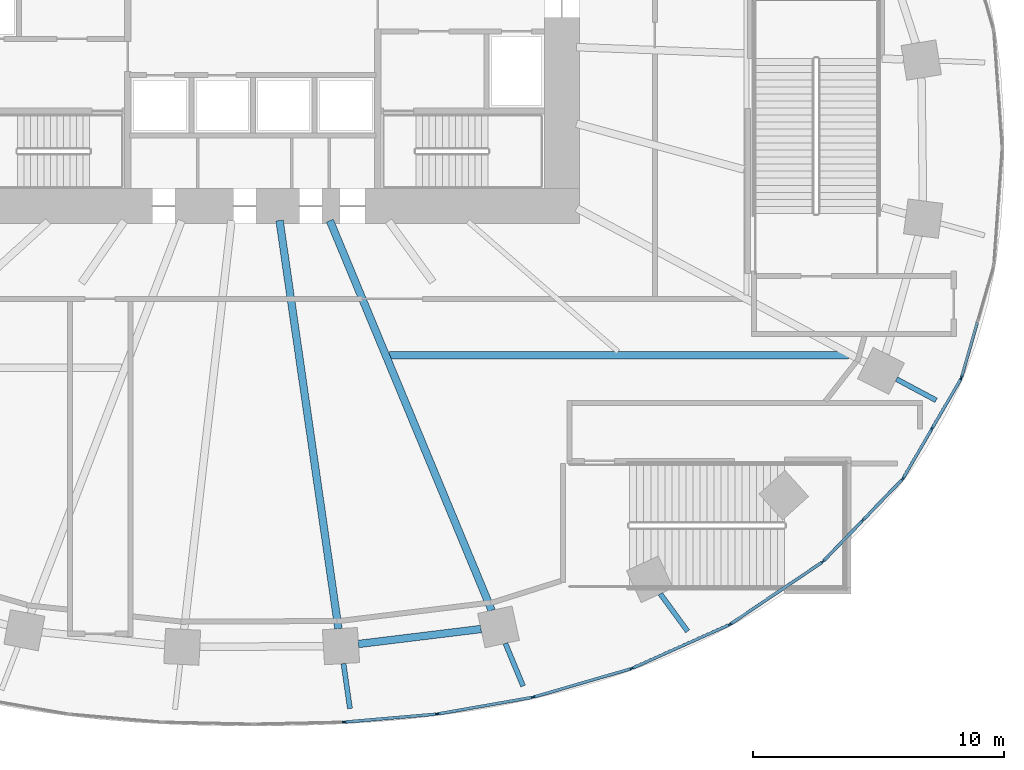
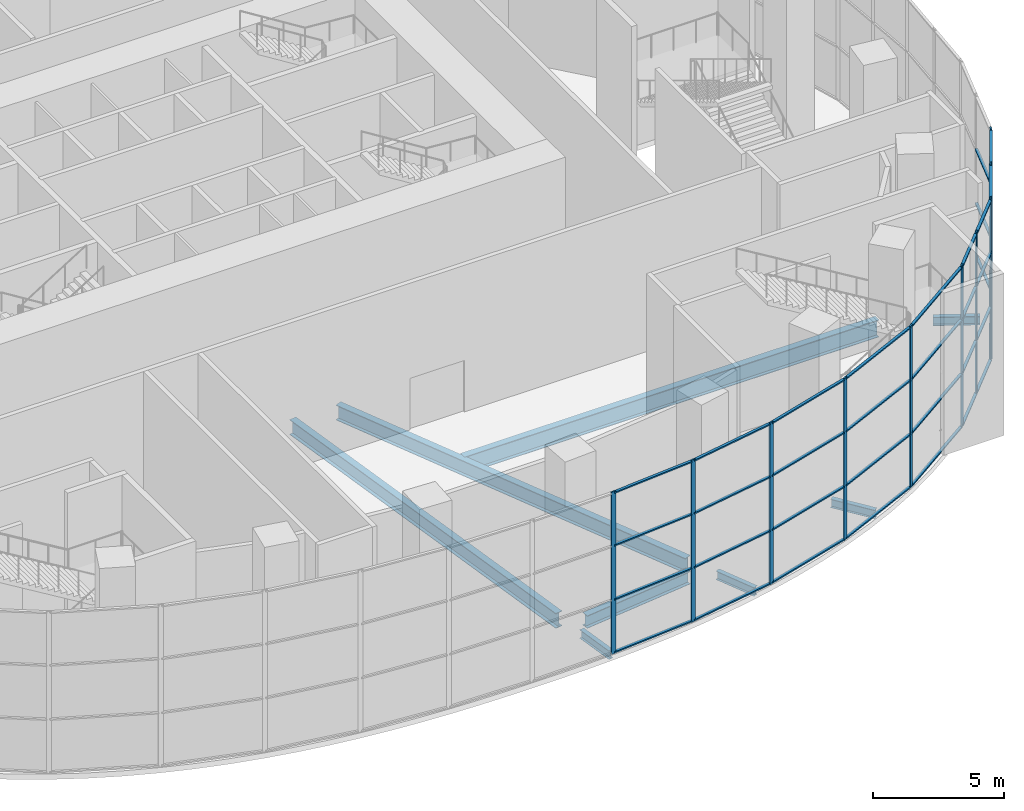
# One storey, part 5 of 22: 49 members, 8 beams, 8 elements without a shape of their own.
"""IFC4 building model written with IfcOpenShell, lengths in metres."""

from ifc_helpers import new_model, si_unit, direction, frame, origin, origin_2d, place, context, subcontext, project, spatial, rectangle, i_section, extrude, material, material_profile, profile_set, type_object, element, aggregate, save


model = new_model("IFC4")

# Units and contexts
model_context = context("Model", 3, precision=1e-05, world=origin(), true_north=direction((0.0, 1.0)))
body_context = subcontext(model_context, "Body", "Model", "MODEL_VIEW")
ifc_project = project(units=[si_unit("LENGTHUNIT", "METRE"), si_unit("AREAUNIT", "SQUARE_METRE"), si_unit("VOLUMEUNIT", "CUBIC_METRE"), si_unit("PLANEANGLEUNIT", "RADIAN"), si_unit("MASSUNIT", "GRAM", prefix="KILO")], contexts=[model_context])

# Site, building, storey
site_placement = place(None, origin())
site = spatial("IfcSite", under=ifc_project, at=site_placement, CompositionType="ELEMENT")
building_placement = place(site_placement, origin())
building = spatial("IfcBuilding", under=site, at=building_placement, Name="Rubra Terraces Tower", CompositionType="ELEMENT")
storey_placement = place(building_placement, frame((0.0, 0.0, 15.0)))
storey = spatial("IfcBuildingStorey", under=building, at=storey_placement, Name="L02", CompositionType="ELEMENT", Elevation=15.0)

# Beams
ifc_material_1 = material(Name="Steel Q355B", Category="steel")
ifc_material_profile_1 = material_profile(ifc_material_1, i_section(OverallWidth=0.199951171875, OverallDepth=0.39990234375, WebThickness=0.008056640625, FlangeThickness=0.012939453125, at=origin_2d()), Name="HN 400x200x8x13")
ifc_profile_set_1 = profile_set([ifc_material_profile_1], Name="Steel Q355B")
beam_type_1 = type_object("IfcBeamType", Name="CANTILEVER BEAM HN 400x200x8x13", PredefinedType="BEAM", material=ifc_profile_set_1)
beam_1_placement = place(storey_placement, frame((3.60888671875, -20.51904296875, -0.449951171875), z_axis=(0.142763772924, -0.989756790904, 0.0), x_axis=(0.989756790904, 0.142763772924, 0.0)))
element("IfcBeam", 1, at=beam_1_placement, inside=storey, type_object=beam_type_1, Name="beam-L02-cant-19", PredefinedType="BEAM", context=body_context, shape_type="SweptSolid", body=[
    extrude(i_section(OverallWidth=0.199951171875, OverallDepth=0.39990234375, WebThickness=0.008056640625, FlangeThickness=0.012939453125, at=origin_2d()), origin(), (0.0, 0.0, 1.0), 1.8076171875),
])
beam_2_placement = place(storey_placement, frame((10.052978515625, -19.715087890625, -0.449951171875), z_axis=(0.383493077266, -0.923543750826, 0.0), x_axis=(0.923543750826, 0.383493077266, 0.0)))
element("IfcBeam", 2, at=beam_2_placement, inside=storey, type_object=beam_type_1, Name="beam-L02-cant-20", PredefinedType="BEAM", context=body_context, shape_type="SweptSolid", body=[
    extrude(i_section(OverallWidth=0.199951171875, OverallDepth=0.39990234375, WebThickness=0.008056640625, FlangeThickness=0.012939453125, at=origin_2d()), origin(), (0.0, 0.0, 1.0), 1.838623046875),
])
beam_3_placement = place(storey_placement, frame((16.219970703125, -17.741943359375, -0.449951171875), z_axis=(0.589263865816, -0.80794065156, 0.0), x_axis=(0.80794065156, 0.589263865816, 0.0)))
element("IfcBeam", 3, at=beam_3_placement, inside=storey, type_object=beam_type_1, Name="beam-L02-cant-21", PredefinedType="BEAM", context=body_context, shape_type="SweptSolid", body=[
    extrude(i_section(OverallWidth=0.199951171875, OverallDepth=0.39990234375, WebThickness=0.008056640625, FlangeThickness=0.012939453125, at=origin_2d()), origin(), (0.0, 0.0, 1.0), 1.8466796875),
])
beam_4_placement = place(storey_placement, frame((25.62109375, -9.196044921875, -0.449951171875), z_axis=(0.881903321084, -0.471430304776, 0.0), x_axis=(0.471430304776, 0.881903321084, 0.0)))
element("IfcBeam", 4, at=beam_4_placement, inside=storey, type_object=beam_type_1, Name="beam-L02-cant-23", PredefinedType="BEAM", context=body_context, shape_type="SweptSolid", body=[
    extrude(i_section(OverallWidth=0.199951171875, OverallDepth=0.39990234375, WebThickness=0.008056640625, FlangeThickness=0.012939453125, at=origin_2d()), origin(), (0.0, 0.0, 1.0), 1.790283203125),
])
ifc_material_profile_2 = material_profile(ifc_material_1, i_section(OverallWidth=0.300048828125, OverallDepth=0.699951171875, WebThickness=0.012939453125, FlangeThickness=0.02392578125, at=origin_2d()), Name="HN 700x300x13x24")
ifc_profile_set_2 = profile_set([ifc_material_profile_2], Name="Steel Q355B")
beam_type_2 = type_object("IfcBeamType", Name="FLOOR BEAM HN 700x300x13x24", PredefinedType="BEAM", material=ifc_profile_set_2)
beam_5_placement = place(storey_placement, frame((3.408935546875, -19.12890625, -0.60009765625), z_axis=(-0.142787075711, 0.9897534294, 0.0), x_axis=(-0.9897534294, -0.142787075711, 0.0)))
element("IfcBeam", 5, at=beam_5_placement, inside=storey, type_object=beam_type_2, Name="beam-L02-floor-19", PredefinedType="BEAM", context=body_context, shape_type="SweptSolid", body=[
    extrude(i_section(OverallWidth=0.300048828125, OverallDepth=0.699951171875, WebThickness=0.012939453125, FlangeThickness=0.02392578125, at=origin_2d()), origin(), (0.0, 0.0, 1.0), 16.416015625),
])
beam_6_placement = place(storey_placement, frame((9.507080078125, -18.40087890625, -0.60009765625), z_axis=(-0.383379543301, 0.923590886582, 0.0), x_axis=(-0.923590886582, -0.383379543301, 0.0)))
element("IfcBeam", 6, at=beam_6_placement, inside=storey, type_object=beam_type_2, Name="beam-L02-floor-20", PredefinedType="BEAM", context=body_context, shape_type="SweptSolid", body=[
    extrude(i_section(OverallWidth=0.300048828125, OverallDepth=0.699951171875, WebThickness=0.012939453125, FlangeThickness=0.02392578125, at=origin_2d()), origin(), (0.0, 0.0, 1.0), 16.795166015625),
])

# Curtain wall, member
ifc_material_2 = material(Name="Aluminium and glass", Category="aluminium")
curtain_wall_type = type_object("IfcCurtainWallType", Name="Curtain wall Podium glazing", PredefinedType="NOTDEFINED", material=ifc_material_2)
curtain_wall_1_placement = place(storey_placement, origin())
curtain_wall_1 = element("IfcCurtainWall", 7, at=curtain_wall_1_placement, inside=storey, type_object=curtain_wall_type, Name="L02 glazing bay 32", PredefinedType="NOTDEFINED")
ifc_material_3 = material(Name="Aluminium, anodised dark grey", Category="aluminium")
ifc_material_profile_3 = material_profile(ifc_material_3, rectangle(XDim=0.06005859375, YDim=0.199951171875, at=origin_2d()), Name="AL 60x200")
ifc_profile_set_3 = profile_set([ifc_material_profile_3], Name="Aluminium, anodised dark grey")
member_type_1 = type_object("IfcMemberType", Name="Podium glazing mullion 60 x 200", PredefinedType="MULLION", material=ifc_profile_set_3)
member_1_placement = place(storey_placement, frame((3.6533203125, -22.8447265625, 0.0), z_axis=(0.0, 0.0, 1.0), x_axis=(-0.08639804595, 0.996260697637, 0.0)))
member_1 = element("IfcMember", 8, at=member_1_placement, type_object=member_type_1, Name="CW1 mullion 1", PredefinedType="MULLION", context=body_context, shape_type="SweptSolid", body=[
    extrude(rectangle(XDim=0.06005859375, YDim=0.199951171875, at=origin_2d()), origin(), (0.0, 0.0, 1.0), 7.550048828125),
])

curtain_wall_2_placement = place(storey_placement, origin())
curtain_wall_2 = element("IfcCurtainWall", 9, at=curtain_wall_2_placement, inside=storey, type_object=curtain_wall_type, Name="L02 glazing bay 33", PredefinedType="NOTDEFINED")
member_2_placement = place(storey_placement, frame((7.359619140625, -22.52099609375, 0.0), z_axis=(0.0, 0.0, 1.0), x_axis=(-0.172816985997, 0.984953952909, 0.0)))
member_2 = element("IfcMember", 10, at=member_2_placement, type_object=member_type_1, Name="CW1 mullion 1", PredefinedType="MULLION", context=body_context, shape_type="SweptSolid", body=[
    extrude(rectangle(XDim=0.06005859375, YDim=0.199951171875, at=origin_2d()), origin(), (0.0, 0.0, 1.0), 7.550048828125),
])

curtain_wall_3_placement = place(storey_placement, origin())
curtain_wall_3 = element("IfcCurtainWall", 11, at=curtain_wall_3_placement, inside=storey, type_object=curtain_wall_type, Name="L02 glazing bay 34", PredefinedType="NOTDEFINED")
member_3_placement = place(storey_placement, frame((11.180908203125, -21.84765625, 0.0), z_axis=(0.0, 0.0, 1.0), x_axis=(-0.279399200229, 0.96017502931, 0.0)))
member_3 = element("IfcMember", 12, at=member_3_placement, type_object=member_type_1, Name="CW1 mullion 1", PredefinedType="MULLION", context=body_context, shape_type="SweptSolid", body=[
    extrude(rectangle(XDim=0.06005859375, YDim=0.199951171875, at=origin_2d()), origin(), (0.0, 0.0, 1.0), 7.550048828125),
])

curtain_wall_4_placement = place(storey_placement, origin())
curtain_wall_4 = element("IfcCurtainWall", 13, at=curtain_wall_4_placement, inside=storey, type_object=curtain_wall_type, Name="L02 glazing bay 35", PredefinedType="NOTDEFINED")
member_4_placement = place(storey_placement, frame((15.09765625, -20.704345703125, 0.0), z_axis=(0.0, 0.0, 1.0), x_axis=(-0.4089624427, 0.912551215254, 0.0)))
member_4 = element("IfcMember", 14, at=member_4_placement, type_object=member_type_1, Name="CW1 mullion 1", PredefinedType="MULLION", context=body_context, shape_type="SweptSolid", body=[
    extrude(rectangle(XDim=0.06005859375, YDim=0.199951171875, at=origin_2d()), origin(), (0.0, 0.0, 1.0), 7.550048828125),
])

curtain_wall_5_placement = place(storey_placement, origin())
curtain_wall_5 = element("IfcCurtainWall", 15, at=curtain_wall_5_placement, inside=storey, type_object=curtain_wall_type, Name="L02 glazing bay 36", PredefinedType="NOTDEFINED")
member_5_placement = place(storey_placement, frame((19.009033203125, -18.947021484375, 0.0), z_axis=(0.0, 0.0, 1.0), x_axis=(-0.55927727939, 0.828980654031, 0.0)))
member_5 = element("IfcMember", 16, at=member_5_placement, type_object=member_type_1, Name="CW1 mullion 1", PredefinedType="MULLION", context=body_context, shape_type="SweptSolid", body=[
    extrude(rectangle(XDim=0.06005859375, YDim=0.199951171875, at=origin_2d()), origin(), (0.0, 0.0, 1.0), 7.550048828125),
])

# Curtain wall, members
curtain_wall_6_placement = place(storey_placement, origin())
curtain_wall_6 = element("IfcCurtainWall", 17, at=curtain_wall_6_placement, inside=storey, type_object=curtain_wall_type, Name="L02 glazing bay 37", PredefinedType="NOTDEFINED")
member_6_placement = place(storey_placement, frame((22.705810546875, -16.447265625, 0.0), z_axis=(0.0, 0.0, 1.0), x_axis=(-0.71982488517, 0.69415569917, 0.0)))
member_6 = element("IfcMember", 18, at=member_6_placement, type_object=member_type_1, Name="CW1 mullion 1", PredefinedType="MULLION", context=body_context, shape_type="SweptSolid", body=[
    extrude(rectangle(XDim=0.06005859375, YDim=0.199951171875, at=origin_2d()), origin(), (0.0, 0.0, 1.0), 7.550048828125),
])
member_7_placement = place(storey_placement, frame((24.280517578125, -14.814453125, 0.0), z_axis=(0.0, 0.0, 1.0), x_axis=(-0.71982488517, 0.69415569917, 0.0)))
member_7 = element("IfcMember", 19, at=member_7_placement, type_object=member_type_1, Name="CW1 mullion 2", PredefinedType="MULLION", context=body_context, shape_type="SweptSolid", body=[
    extrude(rectangle(XDim=0.06005859375, YDim=0.199951171875, at=origin_2d()), origin(), (0.0, 0.0, 1.0), 7.550048828125),
])

curtain_wall_7_placement = place(storey_placement, origin())
curtain_wall_7 = element("IfcCurtainWall", 20, at=curtain_wall_7_placement, inside=storey, type_object=curtain_wall_type, Name="L02 glazing bay 38", PredefinedType="NOTDEFINED")
member_8_placement = place(storey_placement, frame((25.880126953125, -13.1484375, 0.0), z_axis=(0.0, 0.0, 1.0), x_axis=(-0.864813011398, 0.502094070187, 0.0)))
member_8 = element("IfcMember", 21, at=member_8_placement, type_object=member_type_1, Name="CW1 mullion 1", PredefinedType="MULLION", context=body_context, shape_type="SweptSolid", body=[
    extrude(rectangle(XDim=0.06005859375, YDim=0.199951171875, at=origin_2d()), origin(), (0.0, 0.0, 1.0), 7.550048828125),
])
member_9_placement = place(storey_placement, frame((27.0341796875, -11.160888671875, 0.0), z_axis=(0.0, 0.0, 1.0), x_axis=(-0.864813011398, 0.502094070187, 0.0)))
member_9 = element("IfcMember", 22, at=member_9_placement, type_object=member_type_1, Name="CW1 mullion 2", PredefinedType="MULLION", context=body_context, shape_type="SweptSolid", body=[
    extrude(rectangle(XDim=0.06005859375, YDim=0.199951171875, at=origin_2d()), origin(), (0.0, 0.0, 1.0), 7.550048828125),
])

# Curtain wall, member
curtain_wall_8_placement = place(storey_placement, origin())
curtain_wall_8 = element("IfcCurtainWall", 23, at=curtain_wall_8_placement, inside=storey, type_object=curtain_wall_type, Name="L02 glazing bay 39", PredefinedType="NOTDEFINED")
member_10_placement = place(storey_placement, frame((28.2041015625, -9.135498046875, 0.0), z_axis=(0.0, 0.0, 1.0), x_axis=(-0.961047339404, 0.276383811798, 0.0)))
member_10 = element("IfcMember", 24, at=member_10_placement, type_object=member_type_1, Name="CW1 mullion 1", PredefinedType="MULLION", context=body_context, shape_type="SweptSolid", body=[
    extrude(rectangle(XDim=0.06005859375, YDim=0.199951171875, at=origin_2d()), origin(), (0.0, 0.0, 1.0), 7.550048828125),
])

# Member
ifc_material_profile_4 = material_profile(ifc_material_3, rectangle(XDim=0.1201171875, YDim=0.06005859375, at=origin_2d()), Name="AL 120x60")
ifc_profile_set_4 = profile_set([ifc_material_profile_4], Name="Aluminium, anodised dark grey")
member_type_2 = type_object("IfcMemberType", Name="Podium glazing transom 120 x 60", PredefinedType="USERDEFINED", material=ifc_profile_set_4)
member_11_placement = place(storey_placement, frame((3.683349609375, -22.842041015625, 0.06005859375), z_axis=(0.996262906738, 0.086372568895, 0.0), x_axis=(-0.086372568895, 0.996262906738, 0.0)))
member_11 = element("IfcMember", 25, at=member_11_placement, type_object=member_type_2, Name="CW1 transom 1.1", ObjectType="TRANSOM", PredefinedType="USERDEFINED", context=body_context, shape_type="SweptSolid", body=[
    extrude(rectangle(XDim=0.1201171875, YDim=0.06005859375, at=origin_2d()), origin(), (0.0, 0.0, 1.0), 3.606689453125),
])

member_12_placement = place(storey_placement, frame((3.683349609375, -22.842041015625, 2.5166015625), z_axis=(0.996262906738, 0.086372568895, 0.0), x_axis=(-0.086372568895, 0.996262906738, 0.0)))
member_12 = element("IfcMember", 26, at=member_12_placement, type_object=member_type_2, Name="CW1 transom 1.2", ObjectType="TRANSOM", PredefinedType="USERDEFINED", context=body_context, shape_type="SweptSolid", body=[
    extrude(rectangle(XDim=0.1201171875, YDim=0.06005859375, at=origin_2d()), origin(), (0.0, 0.0, 1.0), 3.606689453125),
])

member_13_placement = place(storey_placement, frame((3.683349609375, -22.842041015625, 5.033203125), z_axis=(0.996262906738, 0.086372568895, 0.0), x_axis=(-0.086372568895, 0.996262906738, 0.0)))
member_13 = element("IfcMember", 27, at=member_13_placement, type_object=member_type_2, Name="CW1 transom 1.3", ObjectType="TRANSOM", PredefinedType="USERDEFINED", context=body_context, shape_type="SweptSolid", body=[
    extrude(rectangle(XDim=0.1201171875, YDim=0.06005859375, at=origin_2d()), origin(), (0.0, 0.0, 1.0), 3.606689453125),
])

member_14_placement = place(storey_placement, frame((3.683349609375, -22.842041015625, 7.489990234375), z_axis=(0.996262906738, 0.086372568895, 0.0), x_axis=(-0.086372568895, 0.996262906738, 0.0)))
member_14 = element("IfcMember", 28, at=member_14_placement, type_object=member_type_2, Name="CW1 transom 1.4", ObjectType="TRANSOM", PredefinedType="USERDEFINED", context=body_context, shape_type="SweptSolid", body=[
    extrude(rectangle(XDim=0.1201171875, YDim=0.06005859375, at=origin_2d()), origin(), (0.0, 0.0, 1.0), 3.606689453125),
])

aggregate(curtain_wall_1, [member_1, member_11, member_12, member_13, member_14])

member_15_placement = place(storey_placement, frame((7.38916015625, -22.515625, 0.06005859375), z_axis=(0.984959152546, 0.172787348539, 0.0), x_axis=(-0.172787348539, 0.984959152546, 0.0)))
member_15 = element("IfcMember", 29, at=member_15_placement, type_object=member_type_2, Name="CW1 transom 1.1", ObjectType="TRANSOM", PredefinedType="USERDEFINED", context=body_context, shape_type="SweptSolid", body=[
    extrude(rectangle(XDim=0.1201171875, YDim=0.06005859375, at=origin_2d()), origin(), (0.0, 0.0, 1.0), 3.768310546875),
])

member_16_placement = place(storey_placement, frame((7.38916015625, -22.515625, 2.5166015625), z_axis=(0.984959152546, 0.172787348539, 0.0), x_axis=(-0.172787348539, 0.984959152546, 0.0)))
member_16 = element("IfcMember", 30, at=member_16_placement, type_object=member_type_2, Name="CW1 transom 1.2", ObjectType="TRANSOM", PredefinedType="USERDEFINED", context=body_context, shape_type="SweptSolid", body=[
    extrude(rectangle(XDim=0.1201171875, YDim=0.06005859375, at=origin_2d()), origin(), (0.0, 0.0, 1.0), 3.768310546875),
])

member_17_placement = place(storey_placement, frame((7.38916015625, -22.515625, 5.033203125), z_axis=(0.984959152546, 0.172787348539, 0.0), x_axis=(-0.172787348539, 0.984959152546, 0.0)))
member_17 = element("IfcMember", 31, at=member_17_placement, type_object=member_type_2, Name="CW1 transom 1.3", ObjectType="TRANSOM", PredefinedType="USERDEFINED", context=body_context, shape_type="SweptSolid", body=[
    extrude(rectangle(XDim=0.1201171875, YDim=0.06005859375, at=origin_2d()), origin(), (0.0, 0.0, 1.0), 3.768310546875),
])

member_18_placement = place(storey_placement, frame((7.38916015625, -22.515625, 7.489990234375), z_axis=(0.984959152546, 0.172787348539, 0.0), x_axis=(-0.172787348539, 0.984959152546, 0.0)))
member_18 = element("IfcMember", 32, at=member_18_placement, type_object=member_type_2, Name="CW1 transom 1.4", ObjectType="TRANSOM", PredefinedType="USERDEFINED", context=body_context, shape_type="SweptSolid", body=[
    extrude(rectangle(XDim=0.1201171875, YDim=0.06005859375, at=origin_2d()), origin(), (0.0, 0.0, 1.0), 3.768310546875),
])

aggregate(curtain_wall_2, [member_2, member_15, member_16, member_17, member_18])

member_19_placement = place(storey_placement, frame((11.209716796875, -21.83935546875, 0.06005859375), z_axis=(0.960164409194, 0.279435694422, 0.0), x_axis=(-0.279435694422, 0.960164409194, 0.0)))
member_19 = element("IfcMember", 33, at=member_19_placement, type_object=member_type_2, Name="CW1 transom 1.1", ObjectType="TRANSOM", PredefinedType="USERDEFINED", context=body_context, shape_type="SweptSolid", body=[
    extrude(rectangle(XDim=0.1201171875, YDim=0.06005859375, at=origin_2d()), origin(), (0.0, 0.0, 1.0), 3.970947265625),
])

member_20_placement = place(storey_placement, frame((11.209716796875, -21.83935546875, 2.5166015625), z_axis=(0.960164409194, 0.279435694422, 0.0), x_axis=(-0.279435694422, 0.960164409194, 0.0)))
member_20 = element("IfcMember", 34, at=member_20_placement, type_object=member_type_2, Name="CW1 transom 1.2", ObjectType="TRANSOM", PredefinedType="USERDEFINED", context=body_context, shape_type="SweptSolid", body=[
    extrude(rectangle(XDim=0.1201171875, YDim=0.06005859375, at=origin_2d()), origin(), (0.0, 0.0, 1.0), 3.970947265625),
])

member_21_placement = place(storey_placement, frame((11.209716796875, -21.83935546875, 5.033203125), z_axis=(0.960164409194, 0.279435694422, 0.0), x_axis=(-0.279435694422, 0.960164409194, 0.0)))
member_21 = element("IfcMember", 35, at=member_21_placement, type_object=member_type_2, Name="CW1 transom 1.3", ObjectType="TRANSOM", PredefinedType="USERDEFINED", context=body_context, shape_type="SweptSolid", body=[
    extrude(rectangle(XDim=0.1201171875, YDim=0.06005859375, at=origin_2d()), origin(), (0.0, 0.0, 1.0), 3.970947265625),
])

member_22_placement = place(storey_placement, frame((11.209716796875, -21.83935546875, 7.489990234375), z_axis=(0.960164409194, 0.279435694422, 0.0), x_axis=(-0.279435694422, 0.960164409194, 0.0)))
member_22 = element("IfcMember", 36, at=member_22_placement, type_object=member_type_2, Name="CW1 transom 1.4", ObjectType="TRANSOM", PredefinedType="USERDEFINED", context=body_context, shape_type="SweptSolid", body=[
    extrude(rectangle(XDim=0.1201171875, YDim=0.06005859375, at=origin_2d()), origin(), (0.0, 0.0, 1.0), 3.970947265625),
])

aggregate(curtain_wall_3, [member_3, member_19, member_20, member_21, member_22])

member_23_placement = place(storey_placement, frame((15.125, -20.692138671875, 0.06005859375), z_axis=(0.912545396627, 0.408975426029, 0.0), x_axis=(-0.408975426029, 0.912545396627, 0.0)))
member_23 = element("IfcMember", 37, at=member_23_placement, type_object=member_type_2, Name="CW1 transom 1.1", ObjectType="TRANSOM", PredefinedType="USERDEFINED", context=body_context, shape_type="SweptSolid", body=[
    extrude(rectangle(XDim=0.1201171875, YDim=0.06005859375, at=origin_2d()), origin(), (0.0, 0.0, 1.0), 4.18115234375),
])

member_24_placement = place(storey_placement, frame((15.125, -20.692138671875, 2.5166015625), z_axis=(0.912545396627, 0.408975426029, 0.0), x_axis=(-0.408975426029, 0.912545396627, 0.0)))
member_24 = element("IfcMember", 38, at=member_24_placement, type_object=member_type_2, Name="CW1 transom 1.2", ObjectType="TRANSOM", PredefinedType="USERDEFINED", context=body_context, shape_type="SweptSolid", body=[
    extrude(rectangle(XDim=0.1201171875, YDim=0.06005859375, at=origin_2d()), origin(), (0.0, 0.0, 1.0), 4.18115234375),
])

member_25_placement = place(storey_placement, frame((15.125, -20.692138671875, 5.033203125), z_axis=(0.912545396627, 0.408975426029, 0.0), x_axis=(-0.408975426029, 0.912545396627, 0.0)))
member_25 = element("IfcMember", 39, at=member_25_placement, type_object=member_type_2, Name="CW1 transom 1.3", ObjectType="TRANSOM", PredefinedType="USERDEFINED", context=body_context, shape_type="SweptSolid", body=[
    extrude(rectangle(XDim=0.1201171875, YDim=0.06005859375, at=origin_2d()), origin(), (0.0, 0.0, 1.0), 4.18115234375),
])

member_26_placement = place(storey_placement, frame((15.125, -20.692138671875, 7.489990234375), z_axis=(0.912545396627, 0.408975426029, 0.0), x_axis=(-0.408975426029, 0.912545396627, 0.0)))
member_26 = element("IfcMember", 40, at=member_26_placement, type_object=member_type_2, Name="CW1 transom 1.4", ObjectType="TRANSOM", PredefinedType="USERDEFINED", context=body_context, shape_type="SweptSolid", body=[
    extrude(rectangle(XDim=0.1201171875, YDim=0.06005859375, at=origin_2d()), origin(), (0.0, 0.0, 1.0), 4.18115234375),
])

aggregate(curtain_wall_4, [member_4, member_23, member_24, member_25, member_26])

member_27_placement = place(storey_placement, frame((19.033935546875, -18.93017578125, 0.06005859375), z_axis=(0.828996039897, 0.559254473236, 0.0), x_axis=(-0.559254473236, 0.828996039897, 0.0)))
member_27 = element("IfcMember", 41, at=member_27_placement, type_object=member_type_2, Name="CW1 transom 1.1", ObjectType="TRANSOM", PredefinedType="USERDEFINED", context=body_context, shape_type="SweptSolid", body=[
    extrude(rectangle(XDim=0.1201171875, YDim=0.06005859375, at=origin_2d()), origin(), (0.0, 0.0, 1.0), 4.35888671875),
])

member_28_placement = place(storey_placement, frame((19.033935546875, -18.93017578125, 2.5166015625), z_axis=(0.828996039897, 0.559254473236, 0.0), x_axis=(-0.559254473236, 0.828996039897, 0.0)))
member_28 = element("IfcMember", 42, at=member_28_placement, type_object=member_type_2, Name="CW1 transom 1.2", ObjectType="TRANSOM", PredefinedType="USERDEFINED", context=body_context, shape_type="SweptSolid", body=[
    extrude(rectangle(XDim=0.1201171875, YDim=0.06005859375, at=origin_2d()), origin(), (0.0, 0.0, 1.0), 4.35888671875),
])

member_29_placement = place(storey_placement, frame((19.033935546875, -18.93017578125, 5.033203125), z_axis=(0.828996039897, 0.559254473236, 0.0), x_axis=(-0.559254473236, 0.828996039897, 0.0)))
member_29 = element("IfcMember", 43, at=member_29_placement, type_object=member_type_2, Name="CW1 transom 1.3", ObjectType="TRANSOM", PredefinedType="USERDEFINED", context=body_context, shape_type="SweptSolid", body=[
    extrude(rectangle(XDim=0.1201171875, YDim=0.06005859375, at=origin_2d()), origin(), (0.0, 0.0, 1.0), 4.35888671875),
])

member_30_placement = place(storey_placement, frame((19.033935546875, -18.93017578125, 7.489990234375), z_axis=(0.828996039897, 0.559254473236, 0.0), x_axis=(-0.559254473236, 0.828996039897, 0.0)))
member_30 = element("IfcMember", 44, at=member_30_placement, type_object=member_type_2, Name="CW1 transom 1.4", ObjectType="TRANSOM", PredefinedType="USERDEFINED", context=body_context, shape_type="SweptSolid", body=[
    extrude(rectangle(XDim=0.1201171875, YDim=0.06005859375, at=origin_2d()), origin(), (0.0, 0.0, 1.0), 4.35888671875),
])

aggregate(curtain_wall_5, [member_5, member_27, member_28, member_29, member_30])

member_31_placement = place(storey_placement, frame((22.7265625, -16.42578125, 0.06005859375), z_axis=(0.694168299732, 0.719812733735, 0.0), x_axis=(-0.719812733735, 0.694168299732, 0.0)))
member_31 = element("IfcMember", 45, at=member_31_placement, type_object=member_type_2, Name="CW1 transom 1.1", ObjectType="TRANSOM", PredefinedType="USERDEFINED", context=body_context, shape_type="SweptSolid", body=[
    extrude(rectangle(XDim=0.1201171875, YDim=0.06005859375, at=origin_2d()), origin(), (0.0, 0.0, 1.0), 2.208740234375),
])

member_32_placement = place(storey_placement, frame((22.7265625, -16.42578125, 2.5166015625), z_axis=(0.694168299732, 0.719812733735, 0.0), x_axis=(-0.719812733735, 0.694168299732, 0.0)))
member_32 = element("IfcMember", 46, at=member_32_placement, type_object=member_type_2, Name="CW1 transom 1.2", ObjectType="TRANSOM", PredefinedType="USERDEFINED", context=body_context, shape_type="SweptSolid", body=[
    extrude(rectangle(XDim=0.1201171875, YDim=0.06005859375, at=origin_2d()), origin(), (0.0, 0.0, 1.0), 2.208740234375),
])

member_33_placement = place(storey_placement, frame((22.7265625, -16.42578125, 5.033203125), z_axis=(0.694168299732, 0.719812733735, 0.0), x_axis=(-0.719812733735, 0.694168299732, 0.0)))
member_33 = element("IfcMember", 47, at=member_33_placement, type_object=member_type_2, Name="CW1 transom 1.3", ObjectType="TRANSOM", PredefinedType="USERDEFINED", context=body_context, shape_type="SweptSolid", body=[
    extrude(rectangle(XDim=0.1201171875, YDim=0.06005859375, at=origin_2d()), origin(), (0.0, 0.0, 1.0), 2.208740234375),
])

member_34_placement = place(storey_placement, frame((22.7265625, -16.42578125, 7.489990234375), z_axis=(0.694168299732, 0.719812733735, 0.0), x_axis=(-0.719812733735, 0.694168299732, 0.0)))
member_34 = element("IfcMember", 48, at=member_34_placement, type_object=member_type_2, Name="CW1 transom 1.4", ObjectType="TRANSOM", PredefinedType="USERDEFINED", context=body_context, shape_type="SweptSolid", body=[
    extrude(rectangle(XDim=0.1201171875, YDim=0.06005859375, at=origin_2d()), origin(), (0.0, 0.0, 1.0), 2.208740234375),
])

member_35_placement = place(storey_placement, frame((24.30126953125, -14.792724609375, 0.06005859375), z_axis=(0.694223533913, 0.719759463266, 0.0), x_axis=(-0.719759463266, 0.694223533913, 0.0)))
member_35 = element("IfcMember", 49, at=member_35_placement, type_object=member_type_2, Name="CW1 transom 2.1", ObjectType="TRANSOM", PredefinedType="USERDEFINED", context=body_context, shape_type="SweptSolid", body=[
    extrude(rectangle(XDim=0.1201171875, YDim=0.06005859375, at=origin_2d()), origin(), (0.0, 0.0, 1.0), 2.20849609375),
])

member_36_placement = place(storey_placement, frame((24.30126953125, -14.792724609375, 2.5166015625), z_axis=(0.694223533913, 0.719759463266, 0.0), x_axis=(-0.719759463266, 0.694223533913, 0.0)))
member_36 = element("IfcMember", 50, at=member_36_placement, type_object=member_type_2, Name="CW1 transom 2.2", ObjectType="TRANSOM", PredefinedType="USERDEFINED", context=body_context, shape_type="SweptSolid", body=[
    extrude(rectangle(XDim=0.1201171875, YDim=0.06005859375, at=origin_2d()), origin(), (0.0, 0.0, 1.0), 2.20849609375),
])

member_37_placement = place(storey_placement, frame((24.30126953125, -14.792724609375, 5.033203125), z_axis=(0.694223533913, 0.719759463266, 0.0), x_axis=(-0.719759463266, 0.694223533913, 0.0)))
member_37 = element("IfcMember", 51, at=member_37_placement, type_object=member_type_2, Name="CW1 transom 2.3", ObjectType="TRANSOM", PredefinedType="USERDEFINED", context=body_context, shape_type="SweptSolid", body=[
    extrude(rectangle(XDim=0.1201171875, YDim=0.06005859375, at=origin_2d()), origin(), (0.0, 0.0, 1.0), 2.20849609375),
])

member_38_placement = place(storey_placement, frame((24.30126953125, -14.792724609375, 7.489990234375), z_axis=(0.694223533913, 0.719759463266, 0.0), x_axis=(-0.719759463266, 0.694223533913, 0.0)))
member_38 = element("IfcMember", 52, at=member_38_placement, type_object=member_type_2, Name="CW1 transom 2.4", ObjectType="TRANSOM", PredefinedType="USERDEFINED", context=body_context, shape_type="SweptSolid", body=[
    extrude(rectangle(XDim=0.1201171875, YDim=0.06005859375, at=origin_2d()), origin(), (0.0, 0.0, 1.0), 2.20849609375),
])

aggregate(curtain_wall_6, [member_6, member_7, member_31, member_32, member_33, member_34, member_35, member_36, member_37, member_38])

member_39_placement = place(storey_placement, frame((25.895263671875, -13.122314453125, 0.06005859375), z_axis=(0.502106569931, 0.864805754162, 0.0), x_axis=(-0.864805754162, 0.502106569931, 0.0)))
member_39 = element("IfcMember", 53, at=member_39_placement, type_object=member_type_2, Name="CW1 transom 1.1", ObjectType="TRANSOM", PredefinedType="USERDEFINED", context=body_context, shape_type="SweptSolid", body=[
    extrude(rectangle(XDim=0.1201171875, YDim=0.06005859375, at=origin_2d()), origin(), (0.0, 0.0, 1.0), 2.238037109375),
])

member_40_placement = place(storey_placement, frame((25.895263671875, -13.122314453125, 2.5166015625), z_axis=(0.502106569931, 0.864805754162, 0.0), x_axis=(-0.864805754162, 0.502106569931, 0.0)))
member_40 = element("IfcMember", 54, at=member_40_placement, type_object=member_type_2, Name="CW1 transom 1.2", ObjectType="TRANSOM", PredefinedType="USERDEFINED", context=body_context, shape_type="SweptSolid", body=[
    extrude(rectangle(XDim=0.1201171875, YDim=0.06005859375, at=origin_2d()), origin(), (0.0, 0.0, 1.0), 2.238037109375),
])

member_41_placement = place(storey_placement, frame((25.895263671875, -13.122314453125, 5.033203125), z_axis=(0.502106569931, 0.864805754162, 0.0), x_axis=(-0.864805754162, 0.502106569931, 0.0)))
member_41 = element("IfcMember", 55, at=member_41_placement, type_object=member_type_2, Name="CW1 transom 1.3", ObjectType="TRANSOM", PredefinedType="USERDEFINED", context=body_context, shape_type="SweptSolid", body=[
    extrude(rectangle(XDim=0.1201171875, YDim=0.06005859375, at=origin_2d()), origin(), (0.0, 0.0, 1.0), 2.238037109375),
])

member_42_placement = place(storey_placement, frame((25.895263671875, -13.122314453125, 7.489990234375), z_axis=(0.502106569931, 0.864805754162, 0.0), x_axis=(-0.864805754162, 0.502106569931, 0.0)))
member_42 = element("IfcMember", 56, at=member_42_placement, type_object=member_type_2, Name="CW1 transom 1.4", ObjectType="TRANSOM", PredefinedType="USERDEFINED", context=body_context, shape_type="SweptSolid", body=[
    extrude(rectangle(XDim=0.1201171875, YDim=0.06005859375, at=origin_2d()), origin(), (0.0, 0.0, 1.0), 2.238037109375),
])

member_43_placement = place(storey_placement, frame((27.049072265625, -11.134765625, 0.06005859375), z_axis=(0.5021881448, 0.864758386616, 0.0), x_axis=(-0.864758386616, 0.5021881448, 0.0)))
member_43 = element("IfcMember", 57, at=member_43_placement, type_object=member_type_2, Name="CW1 transom 2.1", ObjectType="TRANSOM", PredefinedType="USERDEFINED", context=body_context, shape_type="SweptSolid", body=[
    extrude(rectangle(XDim=0.1201171875, YDim=0.06005859375, at=origin_2d()), origin(), (0.0, 0.0, 1.0), 2.23828125),
])

member_44_placement = place(storey_placement, frame((27.049072265625, -11.134765625, 2.5166015625), z_axis=(0.5021881448, 0.864758386616, 0.0), x_axis=(-0.864758386616, 0.5021881448, 0.0)))
member_44 = element("IfcMember", 58, at=member_44_placement, type_object=member_type_2, Name="CW1 transom 2.2", ObjectType="TRANSOM", PredefinedType="USERDEFINED", context=body_context, shape_type="SweptSolid", body=[
    extrude(rectangle(XDim=0.1201171875, YDim=0.06005859375, at=origin_2d()), origin(), (0.0, 0.0, 1.0), 2.23828125),
])

member_45_placement = place(storey_placement, frame((27.049072265625, -11.134765625, 5.033203125), z_axis=(0.5021881448, 0.864758386616, 0.0), x_axis=(-0.864758386616, 0.5021881448, 0.0)))
member_45 = element("IfcMember", 59, at=member_45_placement, type_object=member_type_2, Name="CW1 transom 2.3", ObjectType="TRANSOM", PredefinedType="USERDEFINED", context=body_context, shape_type="SweptSolid", body=[
    extrude(rectangle(XDim=0.1201171875, YDim=0.06005859375, at=origin_2d()), origin(), (0.0, 0.0, 1.0), 2.23828125),
])

member_46_placement = place(storey_placement, frame((27.049072265625, -11.134765625, 7.489990234375), z_axis=(0.5021881448, 0.864758386616, 0.0), x_axis=(-0.864758386616, 0.5021881448, 0.0)))
member_46 = element("IfcMember", 60, at=member_46_placement, type_object=member_type_2, Name="CW1 transom 2.4", ObjectType="TRANSOM", PredefinedType="USERDEFINED", context=body_context, shape_type="SweptSolid", body=[
    extrude(rectangle(XDim=0.1201171875, YDim=0.06005859375, at=origin_2d()), origin(), (0.0, 0.0, 1.0), 2.23828125),
])

aggregate(curtain_wall_7, [member_8, member_9, member_39, member_40, member_41, member_42, member_43, member_44, member_45, member_46])

member_47_placement = place(storey_placement, frame((28.21240234375, -9.106689453125, 0.06005859375), z_axis=(0.276452561882, 0.961027565177, 0.0), x_axis=(-0.961027565177, 0.276452561882, 0.0)))
member_47 = element("IfcMember", 61, at=member_47_placement, type_object=member_type_2, Name="CW1 transom 1.1", ObjectType="TRANSOM", PredefinedType="USERDEFINED", context=body_context, shape_type="SweptSolid", body=[
    extrude(rectangle(XDim=0.1201171875, YDim=0.06005859375, at=origin_2d()), origin(), (0.0, 0.0, 1.0), 2.2529296875),
])

member_48_placement = place(storey_placement, frame((28.21240234375, -9.106689453125, 2.5166015625), z_axis=(0.276452561882, 0.961027565177, 0.0), x_axis=(-0.961027565177, 0.276452561882, 0.0)))
member_48 = element("IfcMember", 62, at=member_48_placement, type_object=member_type_2, Name="CW1 transom 1.2", ObjectType="TRANSOM", PredefinedType="USERDEFINED", context=body_context, shape_type="SweptSolid", body=[
    extrude(rectangle(XDim=0.1201171875, YDim=0.06005859375, at=origin_2d()), origin(), (0.0, 0.0, 1.0), 2.2529296875),
])

member_49_placement = place(storey_placement, frame((28.21240234375, -9.106689453125, 5.033203125), z_axis=(0.276452561882, 0.961027565177, 0.0), x_axis=(-0.961027565177, 0.276452561882, 0.0)))
member_49 = element("IfcMember", 63, at=member_49_placement, type_object=member_type_2, Name="CW1 transom 1.3", ObjectType="TRANSOM", PredefinedType="USERDEFINED", context=body_context, shape_type="SweptSolid", body=[
    extrude(rectangle(XDim=0.1201171875, YDim=0.06005859375, at=origin_2d()), origin(), (0.0, 0.0, 1.0), 2.2529296875),
])

aggregate(curtain_wall_8, [member_10, member_47, member_48, member_49])

# Beams
ifc_material_profile_5 = material_profile(ifc_material_1, i_section(OverallWidth=0.300048828125, OverallDepth=0.587890625, WebThickness=0.011962890625, FlangeThickness=0.02001953125, at=origin_2d()), Name="HM 588x300x12x20")
ifc_profile_set_5 = profile_set([ifc_material_profile_5], Name="Steel Q355B")
beam_type_3 = type_object("IfcBeamType", Name="SPANDREL BEAM HM 588x300x12x20", PredefinedType="SPANDREL", material=ifc_profile_set_5)
beam_7_placement = place(storey_placement, frame((4.205078125, -19.739013671875, -0.5439453125), z_axis=(0.992616576014, 0.12129440639, 0.0), x_axis=(-0.12129440639, 0.992616576014, 0.0)))
element("IfcBeam", 64, at=beam_7_placement, inside=storey, type_object=beam_type_3, Name="beam-L02-spandrel-19", PredefinedType="SPANDREL", context=body_context, shape_type="SweptSolid", body=[
    extrude(i_section(OverallWidth=0.300048828125, OverallDepth=0.587890625, WebThickness=0.011962890625, FlangeThickness=0.02001953125, at=origin_2d()), origin(), (0.0, 0.0, 1.0), 4.913330078125),
])
ifc_material_profile_6 = material_profile(ifc_material_1, i_section(OverallWidth=0.300048828125, OverallDepth=0.800048828125, WebThickness=0.013916015625, FlangeThickness=0.02587890625, at=origin_2d()), Name="HN 800x300x14x26")
ifc_profile_set_6 = profile_set([ifc_material_profile_6], Name="Steel Q355B")
beam_type_4 = type_object("IfcBeamType", Name="TRIMMER BEAM HN 800x300x14x26", PredefinedType="BEAM", material=ifc_profile_set_6)
beam_8_placement = place(storey_placement, frame((5.443115234375, -8.25, -0.64990234375), z_axis=(1.0, 0.0, 0.0), x_axis=(0.0, 1.0, 0.0)))
element("IfcBeam", 65, at=beam_8_placement, inside=storey, type_object=beam_type_4, Name="beam-L02-header-4-yhi", PredefinedType="BEAM", context=body_context, shape_type="SweptSolid", body=[
    extrude(i_section(OverallWidth=0.300048828125, OverallDepth=0.800048828125, WebThickness=0.013916015625, FlangeThickness=0.02587890625, at=origin_2d()), origin(), (0.0, 0.0, 1.0), 18.2578125),
])

save(model, "model.ifc")
